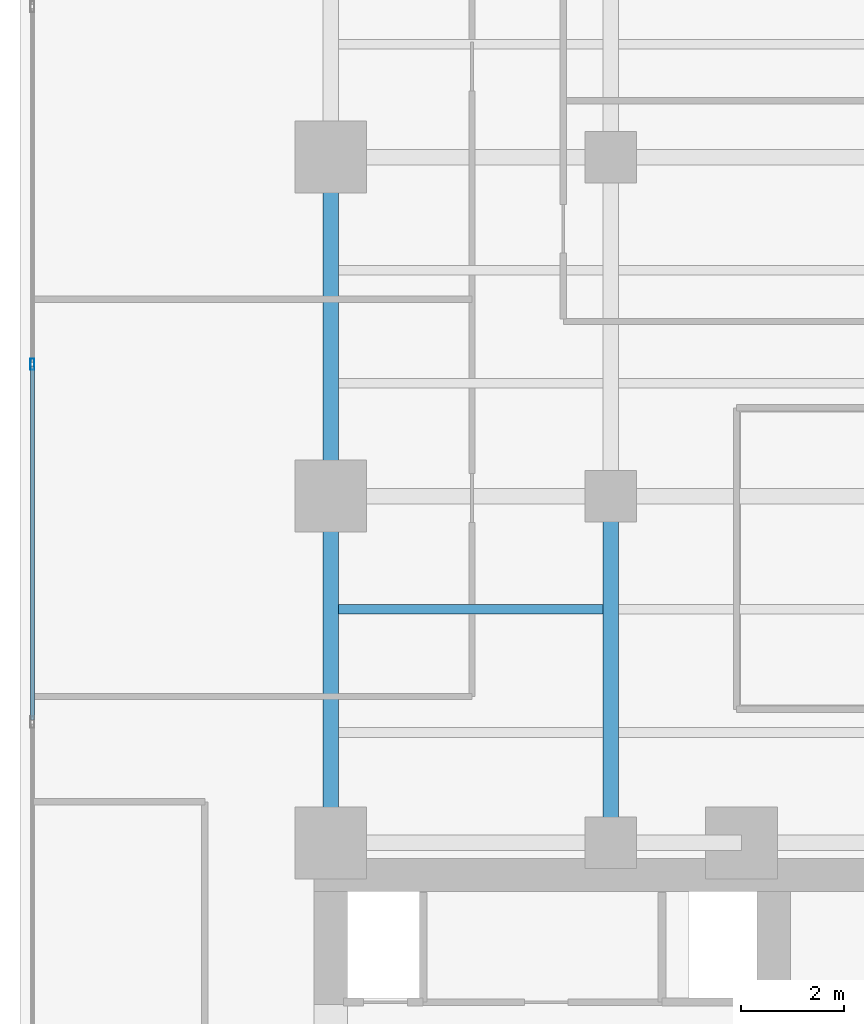
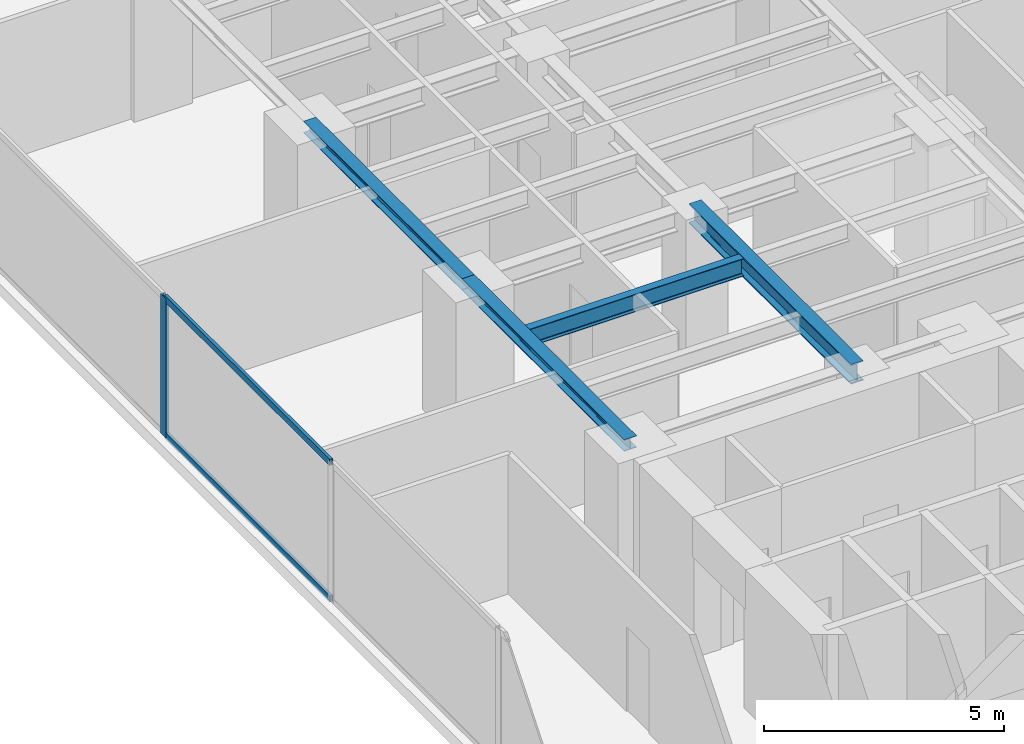
# One storey, part 7 of 26: 4 beams, 3 members, 1 element without a shape of its own.
"""IFC4 building model written with IfcOpenShell, lengths in metres."""

from ifc_helpers import new_model, si_unit, direction, frame, origin, origin_with_axes, origin_2d, place, context, subcontext, project, spatial, hollow_rectangle, i_section, extrude, source, transform, mapped, material, layer, layer_set, material_profile, profile_set, type_object, element, aggregate, save


model = new_model("IFC4")

# Units and contexts
model_context = context("Model", 3, precision=1e-05, world=origin(), true_north=direction((0.0, 1.0)))
body_context = subcontext(model_context, "Body", "Model", "MODEL_VIEW")
ifc_project = project(units=[si_unit("LENGTHUNIT", "METRE"), si_unit("AREAUNIT", "SQUARE_METRE"), si_unit("VOLUMEUNIT", "CUBIC_METRE"), si_unit("PLANEANGLEUNIT", "RADIAN"), si_unit("MASSUNIT", "GRAM", prefix="KILO")], contexts=[model_context])

# Site, building, storey
site_placement = place(None, origin())
site = spatial("IfcSite", under=ifc_project, at=site_placement, CompositionType="ELEMENT")
building_placement = place(site_placement, origin())
building = spatial("IfcBuilding", under=site, at=building_placement, Name="Kolvaren Waterfront Exchange", CompositionType="ELEMENT")
storey_placement = place(building_placement, frame((0.0, 0.0, 110.699951171875)))
storey = spatial("IfcBuildingStorey", under=building, at=storey_placement, Name="L28", CompositionType="ELEMENT", Elevation=110.699951171875)

# Beams
ifc_material_1 = material(Name="Steel S355", Category="steel")
ifc_material_profile_1 = material_profile(ifc_material_1, i_section(OverallWidth=0.300048828125, OverallDepth=0.300048828125, WebThickness=0.010986328125, FlangeThickness=0.01904296875, FilletRadius=0.027099609375, at=origin_2d()), Name="HEB300")
ifc_profile_set_1 = profile_set([ifc_material_profile_1], Name="Steel S355")
beam_type_1 = type_object("IfcBeamType", Name="STR-BM-HEB300", PredefinedType="SPANDREL", material=ifc_profile_set_1)
beam_1_placement = place(storey_placement, frame((7.449951171875, 24.449951171875, 3.39013671875), z_axis=(0.0, 1.0, 0.0), x_axis=(-1.0, 0.0, 0.0)))
element("IfcBeam", 1, at=beam_1_placement, inside=storey, type_object=beam_type_1, Name="L28 north-arm edge beam 1", PredefinedType="SPANDREL", context=body_context, shape_type="SweptSolid", body=[
    extrude(i_section(OverallWidth=0.300048828125, OverallDepth=0.300048828125, WebThickness=0.010986328125, FlangeThickness=0.01904296875, FilletRadius=0.027099609375, at=origin_2d()), origin(), (0.0, 0.0, 1.0), 6.75),
])
beam_2_placement = place(storey_placement, frame((7.449951171875, 31.199951171875, 3.39013671875), z_axis=(0.0, 1.0, 0.0), x_axis=(-1.0, 0.0, 0.0)))
element("IfcBeam", 2, at=beam_2_placement, inside=storey, type_object=beam_type_1, Name="L28 north-arm edge beam 2", PredefinedType="SPANDREL", context=body_context, shape_type="SweptSolid", body=[
    extrude(i_section(OverallWidth=0.300048828125, OverallDepth=0.300048828125, WebThickness=0.010986328125, FlangeThickness=0.01904296875, FilletRadius=0.027099609375, at=origin_2d()), origin(), (0.0, 0.0, 1.0), 6.60009765625),
])
ifc_material_profile_2 = material_profile(ifc_material_1, i_section(OverallWidth=0.300048828125, OverallDepth=0.5, WebThickness=0.014404296875, FlangeThickness=0.028076171875, FilletRadius=0.027099609375, at=origin_2d()), Name="HEB500")
ifc_profile_set_2 = profile_set([ifc_material_profile_2], Name="Steel S355")
beam_type_2 = type_object("IfcBeamType", Name="STR-BM-HEB500", PredefinedType="BEAM", material=ifc_profile_set_2)
beam_3_placement = place(storey_placement, frame((12.89990234375, 24.449951171875, 3.2900390625), z_axis=(0.0, 1.0, 0.0), x_axis=(-1.0, 0.0, 0.0)))
element("IfcBeam", 3, at=beam_3_placement, inside=storey, type_object=beam_type_2, Name="L28 north-arm edge beam 1", PredefinedType="BEAM", context=body_context, shape_type="SweptSolid", body=[
    extrude(i_section(OverallWidth=0.300048828125, OverallDepth=0.5, WebThickness=0.014404296875, FlangeThickness=0.028076171875, FilletRadius=0.027099609375, at=origin_2d()), origin(), (0.0, 0.0, 1.0), 6.75),
])
ifc_material_profile_3 = material_profile(ifc_material_1, i_section(OverallWidth=0.18994140625, OverallDepth=0.449951171875, WebThickness=0.009521484375, FlangeThickness=0.0146484375, FilletRadius=0.02099609375, at=origin_2d()), Name="IPE450")
ifc_profile_set_3 = profile_set([ifc_material_profile_3], Name="Steel S355")
beam_type_3 = type_object("IfcBeamType", Name="STR-BM-IPE450", PredefinedType="JOIST", material=ifc_profile_set_3)
beam_4_placement = place(storey_placement, frame((7.60205078125, 29.0, 3.31494140625), z_axis=(1.0, 0.0, 0.0), x_axis=(0.0, 1.0, 0.0)))
element("IfcBeam", 4, at=beam_4_placement, inside=storey, type_object=beam_type_3, Name="L28 north-arm composite joist 2A", PredefinedType="JOIST", context=body_context, shape_type="SweptSolid", body=[
    extrude(i_section(OverallWidth=0.18994140625, OverallDepth=0.449951171875, WebThickness=0.009521484375, FlangeThickness=0.0146484375, FilletRadius=0.02099609375, at=origin_2d()), origin(), (0.0, 0.0, 1.0), 5.14599609375),
])

# Curtain wall, members
ifc_material_2 = material(Name="Anodised aluminium 6063-T6", Category="aluminium")
ifc_layer = layer(ifc_material_2, 0.219970703125, Name="Anodised aluminium 6063-T6")
ifc_layer_set = layer_set([ifc_layer], Name="Anodised aluminium 6063-T6")
curtain_wall_type = type_object("IfcCurtainWallType", Name="ARC-CW-SYS2", PredefinedType="USERDEFINED", material=ifc_layer_set)
curtain_wall_placement = place(storey_placement, origin())
curtain_wall = element("IfcCurtainWall", 5, at=curtain_wall_placement, inside=storey, type_object=curtain_wall_type, Name="L28 stick curtain wall CW2 (CW-L28-W)", ObjectType="STICK CURTAIN WALL", PredefinedType="USERDEFINED")
ifc_material_profile_4 = material_profile(ifc_material_2, hollow_rectangle(XDim=0.080078125, YDim=0.219970703125, WallThickness=0.0048828125, at=origin_2d()), Name="ALU-MUL-220x80x5")
ifc_profile_set_4 = profile_set([ifc_material_profile_4], Name="Anodised aluminium 6063-T6")
member_type_1 = type_object("IfcMemberType", Name="ARC-CWM-220", PredefinedType="MULLION", material=ifc_profile_set_4)
shared_shape_1 = source(origin_with_axes(), body_context, "Body", "SweptSolid", [
    extrude(hollow_rectangle(XDim=0.080078125, YDim=0.219970703125, WallThickness=0.0048828125, at=origin_2d()), origin(), (0.0, 0.0, 1.0), 3.5400390625),
])
member_1_placement = place(storey_placement, frame((1.639892578125, 33.7666015625, 0.0), z_axis=(0.0, 0.0, 1.0), x_axis=(-1.0, 0.0, 0.0)))
member_1 = element("IfcMember", 6, at=member_1_placement, type_object=member_type_1, Name="CW2 mullion 5", PredefinedType="MULLION", context=body_context, shape_type="MappedRepresentation", body=[
    mapped(shared_shape_1, transform((0.0, 0.0, 0.0), x_axis=(1.0, 0.0, 0.0), y_axis=(0.0, 1.0, 0.0), z_axis=(0.0, 0.0, 1.0), scale=1.0)),
])
ifc_material_profile_5 = material_profile(ifc_material_2, hollow_rectangle(XDim=0.074951171875, YDim=0.159912109375, WallThickness=0.00439453125, at=origin_2d()), Name="ALU-TRN-160x75x4.5")
ifc_profile_set_5 = profile_set([ifc_material_profile_5], Name="Anodised aluminium 6063-T6")
member_type_2 = type_object("IfcMemberType", Name="ARC-CWT-160", PredefinedType="USERDEFINED", material=ifc_profile_set_5)
shared_shape_2 = source(origin_with_axes(), body_context, "Body", "SweptSolid", [
    extrude(hollow_rectangle(XDim=0.074951171875, YDim=0.159912109375, WallThickness=0.00439453125, at=origin_2d()), origin(), (0.0, 0.0, 1.0), 6.886474609375),
])
member_2_placement = place(storey_placement, frame((1.639892578125, 26.840087890625, 0.03759765625), z_axis=(0.0, 1.0, 0.0), x_axis=(-1.0, 0.0, 0.0)))
member_2 = element("IfcMember", 7, at=member_2_placement, type_object=member_type_2, Name="CW2 transom 4.1", ObjectType="TRANSOM", PredefinedType="USERDEFINED", context=body_context, shape_type="MappedRepresentation", body=[
    mapped(shared_shape_2, transform((0.0, 0.0, 0.0), x_axis=(1.0, 0.0, 0.0), y_axis=(0.0, 1.0, 0.0), z_axis=(0.0, 0.0, 1.0), scale=1.0)),
])
member_3_placement = place(storey_placement, frame((1.639892578125, 26.840087890625, 3.50244140625), z_axis=(0.0, 1.0, 0.0), x_axis=(-1.0, 0.0, 0.0)))
member_3 = element("IfcMember", 8, at=member_3_placement, type_object=member_type_2, Name="CW2 transom 4.2", ObjectType="TRANSOM", PredefinedType="USERDEFINED", context=body_context, shape_type="MappedRepresentation", body=[
    mapped(shared_shape_2, transform((0.0, 0.0, 0.0), x_axis=(1.0, 0.0, 0.0), y_axis=(0.0, 1.0, 0.0), z_axis=(0.0, 0.0, 1.0), scale=1.0)),
])
aggregate(curtain_wall, [member_1, member_2, member_3])

save(model, "model.ifc")
